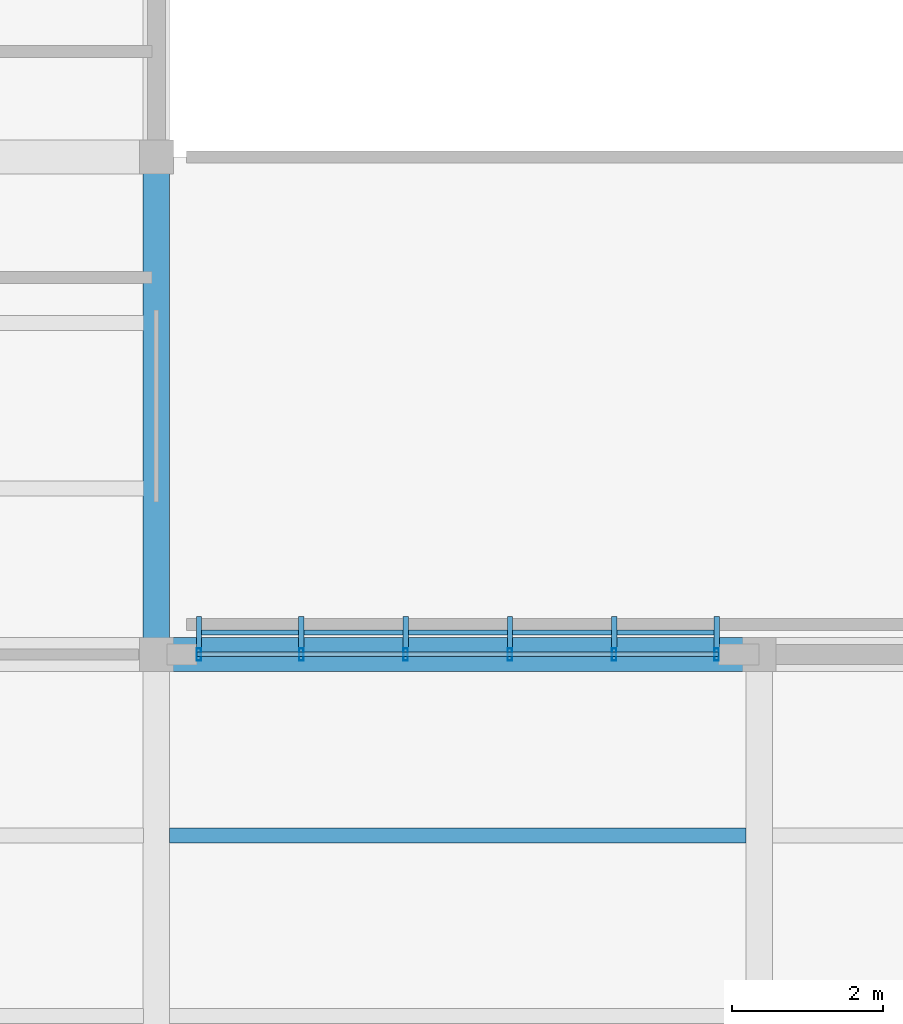
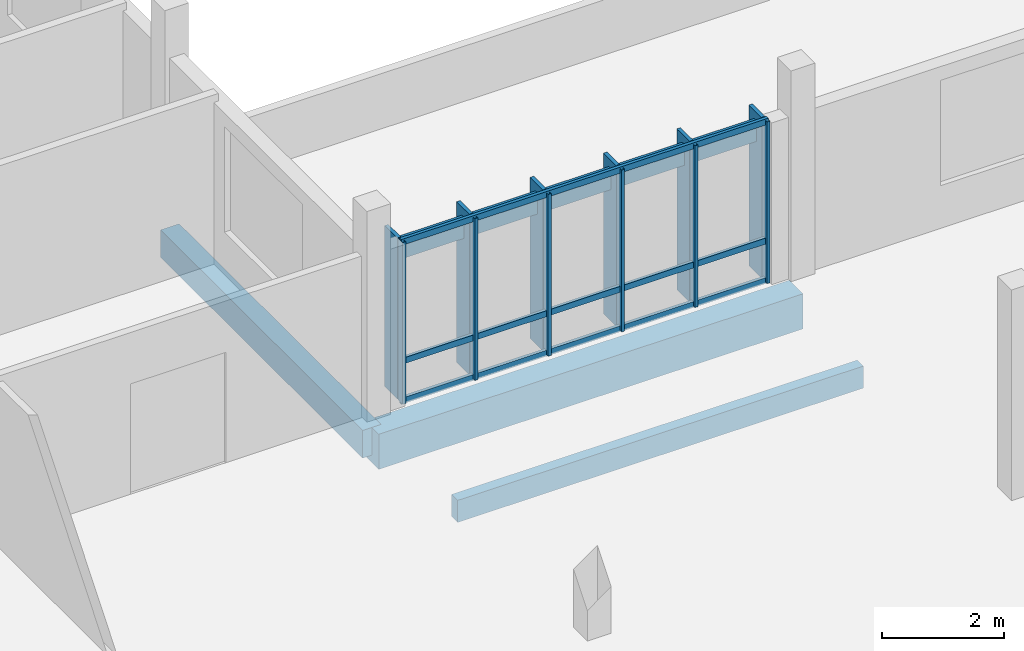
# One storey, part 45 of 182: 16 members, 3 beams, 1 element without a shape of its own.
"""IFC4 building model written with IfcOpenShell, lengths in metres."""

from ifc_helpers import new_model, si_unit, direction, frame, origin, origin_2d, place, context, subcontext, project, spatial, rectangle, hollow_rectangle, extrude, material, material_profile, profile_set, type_object, element, aggregate, save


model = new_model("IFC4")

# Units and contexts
model_context = context("Model", 3, precision=1e-05, world=origin(), true_north=direction((0.0, 1.0)))
body_context = subcontext(model_context, "Body", "Model", "MODEL_VIEW")
ifc_project = project(units=[si_unit("LENGTHUNIT", "METRE"), si_unit("AREAUNIT", "SQUARE_METRE"), si_unit("VOLUMEUNIT", "CUBIC_METRE"), si_unit("PLANEANGLEUNIT", "RADIAN"), si_unit("MASSUNIT", "GRAM", prefix="KILO")], contexts=[model_context])

# Site, building, storey
site_placement = place(None, origin())
site = spatial("IfcSite", under=ifc_project, at=site_placement, CompositionType="ELEMENT")
building_placement = place(site_placement, origin())
building = spatial("IfcBuilding", under=site, at=building_placement, Name="Chiffa Square Polytechnic", CompositionType="ELEMENT")
storey_placement = place(building_placement, frame((0.0, 0.0, 9.60009765625)))
storey = spatial("IfcBuildingStorey", under=building, at=storey_placement, Name="L02", CompositionType="ELEMENT", Elevation=9.60009765625)

# Beams
ifc_material_1 = material(Name="Concrete C35/45", Category="concrete")
ifc_material_profile_1 = material_profile(ifc_material_1, rectangle(XDim=0.35009765625, YDim=0.550048828125, at=origin_2d()), Name="RC 350x550")
ifc_profile_set_1 = profile_set([ifc_material_profile_1], Name="Concrete C35/45")
beam_type_1 = type_object("IfcBeamType", Name="BM-RC-350X550", PredefinedType="BEAM", material=ifc_profile_set_1)
beam_1_placement = place(storey_placement, frame((32.0, 51.0, -0.59521484375), z_axis=(0.0, 1.0, 0.0), x_axis=(-1.0, 0.0, 0.0)))
element("IfcBeam", 1, at=beam_1_placement, inside=storey, type_object=beam_type_1, Name="Primary floor girder BM-V6-L02-Y-0320-0510", PredefinedType="BEAM", context=body_context, shape_type="SweptSolid", body=[
    extrude(rectangle(XDim=0.35009765625, YDim=0.550048828125, at=origin_2d()), origin(), (0.0, 0.0, 1.0), 6.60009765625),
])
ifc_material_profile_2 = material_profile(ifc_material_1, rectangle(XDim=0.449951171875, YDim=0.699951171875, at=origin_2d()), Name="RC 450x700")
ifc_profile_set_2 = profile_set([ifc_material_profile_2], Name="Concrete C35/45")
beam_type_2 = type_object("IfcBeamType", Name="BM-RC-450X700", PredefinedType="BEAM", material=ifc_profile_set_2)
beam_2_placement = place(storey_placement, frame((32.0, 51.0, -0.670166015625), z_axis=(1.0, 0.0, 0.0), x_axis=(0.0, 1.0, 0.0)))
element("IfcBeam", 2, at=beam_2_placement, inside=storey, type_object=beam_type_2, Name="Primary floor girder BM-V6-L02-X-0320-0510", PredefinedType="BEAM", context=body_context, shape_type="SweptSolid", body=[
    extrude(rectangle(XDim=0.449951171875, YDim=0.699951171875, at=origin_2d()), origin(), (0.0, 0.0, 1.0), 8.0),
])

# Curtain wall, members
ifc_material_2 = material(Name="Aluminium EN AW-6060 T66 and glulam shading", Category="wood")
curtain_wall_type = type_object("IfcCurtainWallType", Name="CW-VERT-540X440", PredefinedType="USERDEFINED", material=ifc_material_2)
curtain_wall_placement = place(storey_placement, origin())
curtain_wall = element("IfcCurtainWall", 3, at=curtain_wall_placement, inside=storey, type_object=curtain_wall_type, Name="Curtain wall CW-V6-L02-263", ObjectType="CURTAIN WALL", PredefinedType="USERDEFINED")
ifc_material_3 = material(Name="Aluminium EN AW-6060 T66", Category="aluminium")
ifc_material_profile_3 = material_profile(ifc_material_3, hollow_rectangle(XDim=0.06005859375, YDim=0.159912109375, WallThickness=0.00390625, at=origin_2d()), Name="ALU 60x160x4")
ifc_profile_set_3 = profile_set([ifc_material_profile_3], Name="Aluminium EN AW-6060 T66")
member_type_1 = type_object("IfcMemberType", Name="CWM-ALU-65X150", PredefinedType="MULLION", material=ifc_profile_set_3)
member_1_placement = place(storey_placement, frame((39.43505859375, 51.0, 0.0), z_axis=(0.0, 0.0, 1.0), x_axis=(1.0, 0.0, 0.0)))
member_1 = element("IfcMember", 4, at=member_1_placement, type_object=member_type_1, Name="Curtain wall mullion CW-V6-L02-263-M00", PredefinedType="MULLION", context=body_context, shape_type="SweptSolid", body=[
    extrude(hollow_rectangle(XDim=0.06005859375, YDim=0.159912109375, WallThickness=0.00390625, at=origin_2d()), origin(), (0.0, 0.0, 1.0), 3.224853515625),
])
member_2_placement = place(storey_placement, frame((38.075927734375, 51.0, 0.0), z_axis=(0.0, 0.0, 1.0), x_axis=(1.0, 0.0, 0.0)))
member_2 = element("IfcMember", 5, at=member_2_placement, type_object=member_type_1, Name="Curtain wall mullion CW-V6-L02-263-M01", PredefinedType="MULLION", context=body_context, shape_type="SweptSolid", body=[
    extrude(hollow_rectangle(XDim=0.06005859375, YDim=0.159912109375, WallThickness=0.00390625, at=origin_2d()), origin(), (0.0, 0.0, 1.0), 3.224853515625),
])
member_3_placement = place(storey_placement, frame((36.69189453125, 51.0, 0.0), z_axis=(0.0, 0.0, 1.0), x_axis=(1.0, 0.0, 0.0)))
member_3 = element("IfcMember", 6, at=member_3_placement, type_object=member_type_1, Name="Curtain wall mullion CW-V6-L02-263-M02", PredefinedType="MULLION", context=body_context, shape_type="SweptSolid", body=[
    extrude(hollow_rectangle(XDim=0.06005859375, YDim=0.159912109375, WallThickness=0.00390625, at=origin_2d()), origin(), (0.0, 0.0, 1.0), 3.224853515625),
])
member_4_placement = place(storey_placement, frame((35.30810546875, 51.0, 0.0), z_axis=(0.0, 0.0, 1.0), x_axis=(1.0, 0.0, 0.0)))
member_4 = element("IfcMember", 7, at=member_4_placement, type_object=member_type_1, Name="Curtain wall mullion CW-V6-L02-263-M03", PredefinedType="MULLION", context=body_context, shape_type="SweptSolid", body=[
    extrude(hollow_rectangle(XDim=0.06005859375, YDim=0.159912109375, WallThickness=0.00390625, at=origin_2d()), origin(), (0.0, 0.0, 1.0), 3.224853515625),
])
member_5_placement = place(storey_placement, frame((33.924072265625, 51.0, 0.0), z_axis=(0.0, 0.0, 1.0), x_axis=(1.0, 0.0, 0.0)))
member_5 = element("IfcMember", 8, at=member_5_placement, type_object=member_type_1, Name="Curtain wall mullion CW-V6-L02-263-M04", PredefinedType="MULLION", context=body_context, shape_type="SweptSolid", body=[
    extrude(hollow_rectangle(XDim=0.06005859375, YDim=0.159912109375, WallThickness=0.00390625, at=origin_2d()), origin(), (0.0, 0.0, 1.0), 3.224853515625),
])
member_6_placement = place(storey_placement, frame((32.56494140625, 51.0, 0.0), z_axis=(0.0, 0.0, 1.0), x_axis=(1.0, 0.0, 0.0)))
member_6 = element("IfcMember", 9, at=member_6_placement, type_object=member_type_1, Name="Curtain wall mullion CW-V6-L02-263-M05", PredefinedType="MULLION", context=body_context, shape_type="SweptSolid", body=[
    extrude(hollow_rectangle(XDim=0.06005859375, YDim=0.159912109375, WallThickness=0.00390625, at=origin_2d()), origin(), (0.0, 0.0, 1.0), 3.224853515625),
])
ifc_material_4 = material(Name="Glulam GL28h", Category="wood")
ifc_material_profile_4 = material_profile(ifc_material_4, rectangle(XDim=0.070068359375, YDim=0.419921875, at=origin_2d()), Name="GL28h 70x420")
ifc_profile_set_4 = profile_set([ifc_material_profile_4], Name="Glulam GL28h")
member_type_2 = type_object("IfcMemberType", Name="CWM-GL-70X420", PredefinedType="MULLION", material=ifc_profile_set_4)
member_7_placement = place(storey_placement, frame((39.43505859375, 51.2919921875, 0.010009765625), z_axis=(0.0, 0.0, 1.0), x_axis=(-1.0, 0.0, 0.0)))
member_7 = element("IfcMember", 10, at=member_7_placement, type_object=member_type_2, Name="Exterior glulam solar fin CW-V6-L02-263-FN00", PredefinedType="MULLION", context=body_context, shape_type="SweptSolid", body=[
    extrude(rectangle(XDim=0.070068359375, YDim=0.419921875, at=origin_2d()), origin(), (0.0, 0.0, 1.0), 3.204833984375),
])
member_8_placement = place(storey_placement, frame((38.075927734375, 51.2919921875, 0.010009765625), z_axis=(0.0, 0.0, 1.0), x_axis=(-1.0, 0.0, 0.0)))
member_8 = element("IfcMember", 11, at=member_8_placement, type_object=member_type_2, Name="Exterior glulam solar fin CW-V6-L02-263-FN01", PredefinedType="MULLION", context=body_context, shape_type="SweptSolid", body=[
    extrude(rectangle(XDim=0.070068359375, YDim=0.419921875, at=origin_2d()), origin(), (0.0, 0.0, 1.0), 3.204833984375),
])
member_9_placement = place(storey_placement, frame((36.69189453125, 51.2919921875, 0.010009765625), z_axis=(0.0, 0.0, 1.0), x_axis=(-1.0, 0.0, 0.0)))
member_9 = element("IfcMember", 12, at=member_9_placement, type_object=member_type_2, Name="Exterior glulam solar fin CW-V6-L02-263-FN02", PredefinedType="MULLION", context=body_context, shape_type="SweptSolid", body=[
    extrude(rectangle(XDim=0.070068359375, YDim=0.419921875, at=origin_2d()), origin(), (0.0, 0.0, 1.0), 3.204833984375),
])
member_10_placement = place(storey_placement, frame((35.30810546875, 51.2919921875, 0.010009765625), z_axis=(0.0, 0.0, 1.0), x_axis=(-1.0, 0.0, 0.0)))
member_10 = element("IfcMember", 13, at=member_10_placement, type_object=member_type_2, Name="Exterior glulam solar fin CW-V6-L02-263-FN03", PredefinedType="MULLION", context=body_context, shape_type="SweptSolid", body=[
    extrude(rectangle(XDim=0.070068359375, YDim=0.419921875, at=origin_2d()), origin(), (0.0, 0.0, 1.0), 3.204833984375),
])
member_11_placement = place(storey_placement, frame((33.924072265625, 51.2919921875, 0.010009765625), z_axis=(0.0, 0.0, 1.0), x_axis=(-1.0, 0.0, 0.0)))
member_11 = element("IfcMember", 14, at=member_11_placement, type_object=member_type_2, Name="Exterior glulam solar fin CW-V6-L02-263-FN04", PredefinedType="MULLION", context=body_context, shape_type="SweptSolid", body=[
    extrude(rectangle(XDim=0.070068359375, YDim=0.419921875, at=origin_2d()), origin(), (0.0, 0.0, 1.0), 3.204833984375),
])
member_12_placement = place(storey_placement, frame((32.56494140625, 51.2919921875, 0.010009765625), z_axis=(0.0, 0.0, 1.0), x_axis=(-1.0, 0.0, 0.0)))
member_12 = element("IfcMember", 15, at=member_12_placement, type_object=member_type_2, Name="Exterior glulam solar fin CW-V6-L02-263-FN05", PredefinedType="MULLION", context=body_context, shape_type="SweptSolid", body=[
    extrude(rectangle(XDim=0.070068359375, YDim=0.419921875, at=origin_2d()), origin(), (0.0, 0.0, 1.0), 3.204833984375),
])
ifc_material_profile_5 = material_profile(ifc_material_3, hollow_rectangle(XDim=0.06005859375, YDim=0.1201171875, WallThickness=0.00390625, at=origin_2d()), Name="ALU 60x120x4")
ifc_profile_set_5 = profile_set([ifc_material_profile_5], Name="Aluminium EN AW-6060 T66")
member_type_3 = type_object("IfcMemberType", Name="CWT-ALU-65X120", PredefinedType="USERDEFINED", material=ifc_profile_set_5)
member_13_placement = place(storey_placement, frame((39.4619140625, 51.0, 0.02978515625), z_axis=(-1.0, 0.0, 0.0), x_axis=(0.0, -1.0, 0.0)))
member_13 = element("IfcMember", 16, at=member_13_placement, type_object=member_type_3, Name="Curtain wall transom CW-V6-L02-263-T01", ObjectType="TRANSOM", PredefinedType="USERDEFINED", context=body_context, shape_type="SweptSolid", body=[
    extrude(hollow_rectangle(XDim=0.06005859375, YDim=0.1201171875, WallThickness=0.00390625, at=origin_2d()), origin(), (0.0, 0.0, 1.0), 6.923828125),
])
member_14_placement = place(storey_placement, frame((39.4619140625, 51.0, 0.81982421875), z_axis=(-1.0, 0.0, 0.0), x_axis=(0.0, -1.0, 0.0)))
member_14 = element("IfcMember", 17, at=member_14_placement, type_object=member_type_3, Name="Curtain wall transom CW-V6-L02-263-T02", ObjectType="TRANSOM", PredefinedType="USERDEFINED", context=body_context, shape_type="SweptSolid", body=[
    extrude(hollow_rectangle(XDim=0.06005859375, YDim=0.1201171875, WallThickness=0.00390625, at=origin_2d()), origin(), (0.0, 0.0, 1.0), 6.923828125),
])
member_15_placement = place(storey_placement, frame((39.4619140625, 51.0, 3.19482421875), z_axis=(-1.0, 0.0, 0.0), x_axis=(0.0, -1.0, 0.0)))
member_15 = element("IfcMember", 18, at=member_15_placement, type_object=member_type_3, Name="Curtain wall transom CW-V6-L02-263-T03", ObjectType="TRANSOM", PredefinedType="USERDEFINED", context=body_context, shape_type="SweptSolid", body=[
    extrude(hollow_rectangle(XDim=0.06005859375, YDim=0.1201171875, WallThickness=0.00390625, at=origin_2d()), origin(), (0.0, 0.0, 1.0), 6.923828125),
])
ifc_material_profile_6 = material_profile(ifc_material_4, rectangle(XDim=0.070068359375, YDim=0.419921875, at=origin_2d()), Name="GL28h 70x420")
ifc_profile_set_6 = profile_set([ifc_material_profile_6], Name="Glulam GL28h")
member_type_4 = type_object("IfcMemberType", Name="CWT-GL-70X420", PredefinedType="USERDEFINED", material=ifc_profile_set_6)
member_16_placement = place(storey_placement, frame((39.43505859375, 51.2919921875, 2.844970703125), z_axis=(-1.0, 0.0, 0.0), x_axis=(0.0, -1.0, 0.0)))
member_16 = element("IfcMember", 19, at=member_16_placement, type_object=member_type_4, Name="Exterior glulam brise-soleil CW-V6-L02-263-BS01", ObjectType="TRANSOM", PredefinedType="USERDEFINED", context=body_context, shape_type="SweptSolid", body=[
    extrude(rectangle(XDim=0.070068359375, YDim=0.419921875, at=origin_2d()), origin(), (0.0, 0.0, 1.0), 6.8701171875),
])
aggregate(curtain_wall, [member_1, member_7, member_2, member_8, member_3, member_9, member_4, member_10, member_5, member_11, member_6, member_12, member_13, member_14, member_15, member_16])

# Beam
ifc_material_profile_7 = material_profile(ifc_material_4, rectangle(XDim=0.199951171875, YDim=0.43994140625, at=origin_2d()), Name="GL28h 200x440")
ifc_profile_set_7 = profile_set([ifc_material_profile_7], Name="Glulam GL28h")
beam_type_3 = type_object("IfcBeamType", Name="JST-GL-200X440", PredefinedType="JOIST", material=ifc_profile_set_7)
beam_3_placement = place(storey_placement, frame((32.173095703125, 48.60009765625, -0.5400390625), z_axis=(1.0, 0.0, 0.0), x_axis=(0.0, 1.0, 0.0)))
element("IfcBeam", 20, at=beam_3_placement, inside=storey, type_object=beam_type_3, Name="Secondary floor joist JST-V6-L02-0320-0486", PredefinedType="JOIST", context=body_context, shape_type="SweptSolid", body=[
    extrude(rectangle(XDim=0.199951171875, YDim=0.43994140625, at=origin_2d()), origin(), (0.0, 0.0, 1.0), 7.65380859375),
])

save(model, "model.ifc")
